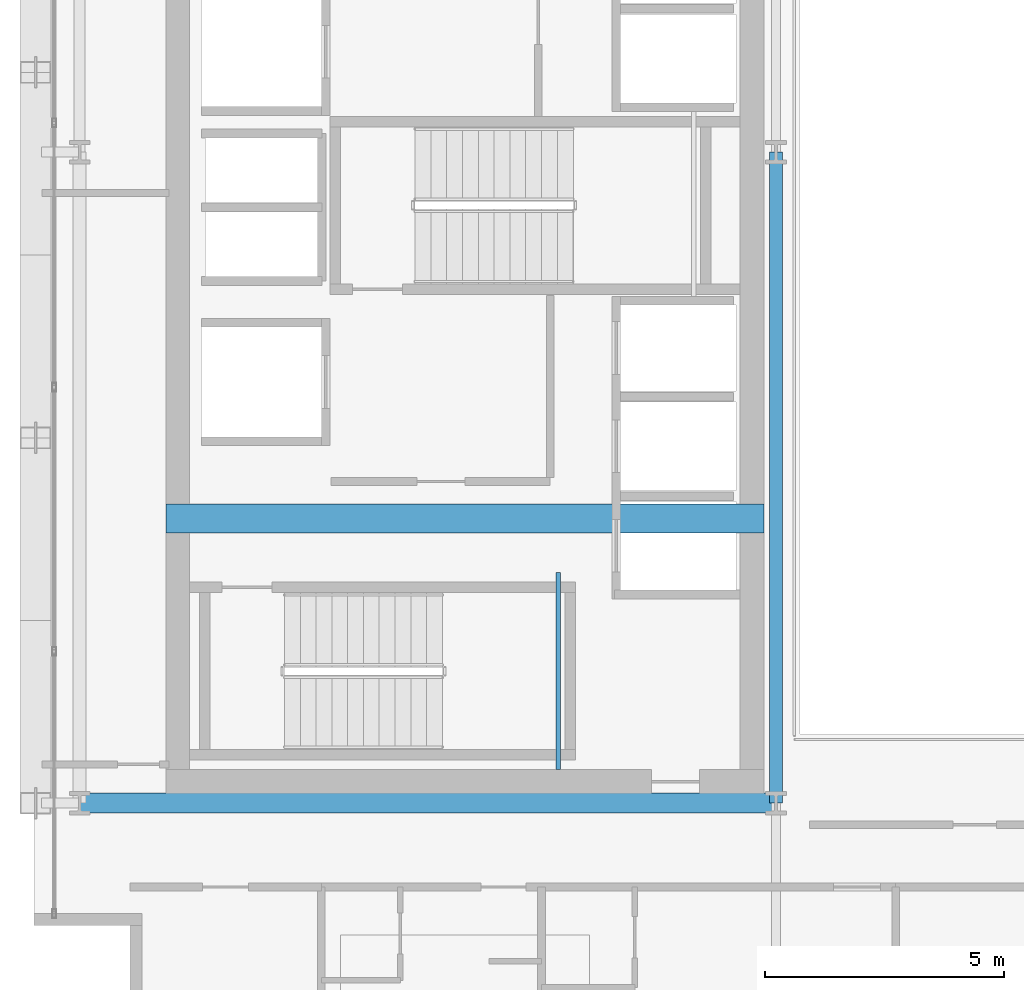
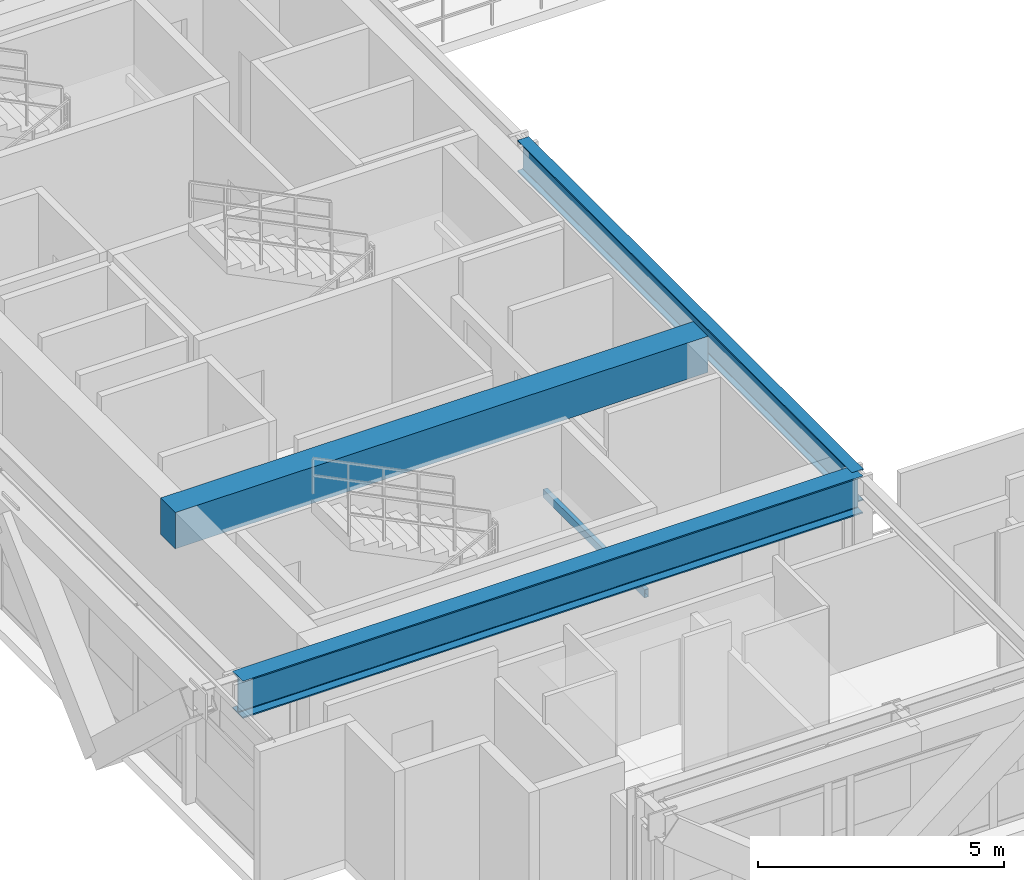
# One storey, part 5 of 32: 4 beams.
"""IFC4 building model written with IfcOpenShell, lengths in metres."""

from ifc_helpers import new_model, si_unit, direction, frame, origin, origin_2d, place, context, subcontext, project, spatial, rectangle, hollow_rectangle, i_section, extrude, source, transform, mapped, material, material_profile, profile_set, type_object, element, save


model = new_model("IFC4")

# Units and contexts
model_context = context("Model", 3, precision=1e-05, world=origin(), true_north=direction((0.0, 1.0)))
body_context = subcontext(model_context, "Body", "Model", "MODEL_VIEW")
ifc_project = project(units=[si_unit("LENGTHUNIT", "METRE"), si_unit("AREAUNIT", "SQUARE_METRE"), si_unit("VOLUMEUNIT", "CUBIC_METRE"), si_unit("PLANEANGLEUNIT", "RADIAN"), si_unit("MASSUNIT", "GRAM", prefix="KILO")], contexts=[model_context])

# Site, building, storey
site_placement = place(None, origin())
site = spatial("IfcSite", under=ifc_project, at=site_placement, CompositionType="ELEMENT")
building_placement = place(site_placement, origin())
building = spatial("IfcBuilding", under=site, at=building_placement, Name="Ocotamira Hotel", CompositionType="ELEMENT")
storey_placement = place(building_placement, frame((0.0, 0.0, 206.39990234375)))
storey = spatial("IfcBuildingStorey", under=building, at=storey_placement, Name="L52", CompositionType="ELEMENT", Elevation=206.39990234375)

# Beams
ifc_material_1 = material(Name="Concrete C50/60", Category="concrete")
ifc_material_profile_1 = material_profile(ifc_material_1, rectangle(XDim=0.60009765625, YDim=0.89990234375, at=origin_2d()), Name="RC600X900")
ifc_profile_set_1 = profile_set([ifc_material_profile_1], Name="Concrete C50/60")
beam_type_1 = type_object("IfcBeamType", Name="BM-LINK-RC600", PredefinedType="LINTEL", material=ifc_profile_set_1)
shared_shape_1 = source(origin(), body_context, "Body", "SweptSolid", [
    extrude(rectangle(XDim=0.60009765625, YDim=0.89990234375, at=origin_2d()), origin(), (0.0, 0.0, 1.0), 12.5),
])
beam_1_placement = place(storey_placement, frame((10.75, 20.5, 2.920166015625), z_axis=(1.0, 0.0, 0.0), x_axis=(0.0, 1.0, 0.0)))
element("IfcBeam", 1, at=beam_1_placement, inside=storey, type_object=beam_type_1, Name="L52 West Core Coupling Beam", PredefinedType="LINTEL", context=body_context, shape_type="MappedRepresentation", body=[
    mapped(shared_shape_1, transform((0.0, 0.0, 0.0), scale=1.0)),
])
ifc_material_2 = material(Name="Steel ASTM A500 Grade C", Category="steel")
ifc_material_profile_2 = material_profile(ifc_material_2, hollow_rectangle(XDim=0.10009765625, YDim=0.199951171875, WallThickness=0.008056640625, at=origin_2d()), Name="HSS200X100X8")
ifc_profile_set_2 = profile_set([ifc_material_profile_2], Name="Steel ASTM A500 Grade C")
beam_type_2 = type_object("IfcBeamType", Name="BM-STLDG-HSS200", PredefinedType="BEAM", material=ifc_profile_set_2)
shared_shape_2 = source(origin(), body_context, "Body", "SweptSolid", [
    extrude(hollow_rectangle(XDim=0.10009765625, YDim=0.199951171875, WallThickness=0.008056640625, at=origin_2d()), origin(), (0.0, 0.0, 1.0), 4.1201171875),
])
beam_2_placement = place(storey_placement, frame((18.949951171875, 15.25, 1.5), z_axis=(0.0, 1.0, 0.0), x_axis=(-1.0, 0.0, 0.0)))
element("IfcBeam", 2, at=beam_2_placement, inside=storey, type_object=beam_type_2, Name="L52 Stair ST-1 Landing Bearer 1", PredefinedType="BEAM", context=body_context, shape_type="MappedRepresentation", body=[
    mapped(shared_shape_2, transform((0.0, 0.0, 0.0), scale=1.0)),
])
ifc_material_3 = material(Name="Steel ASTM A992 Grade 50", Category="steel")
ifc_material_profile_3 = material_profile(ifc_material_3, i_section(OverallWidth=0.41796875, OverallDepth=0.927001953125, WebThickness=0.019287109375, FlangeThickness=0.031982421875, FilletRadius=0.02392578125, at=origin_2d()), Name="W36X231")
ifc_profile_set_3 = profile_set([ifc_material_profile_3], Name="Steel ASTM A992 Grade 50")
beam_type_3 = type_object("IfcBeamType", Name="BM-GIRD-W36X231", PredefinedType="BEAM", material=ifc_profile_set_3)
shared_shape_3 = source(origin(), body_context, "Body", "SweptSolid", [
    extrude(i_section(OverallWidth=0.41796875, OverallDepth=0.927001953125, WebThickness=0.019287109375, FlangeThickness=0.031982421875, FilletRadius=0.02392578125, at=origin_2d()), origin(), (0.0, 0.0, 1.0), 14.550048828125),
])
beam_3_placement = place(storey_placement, frame((8.949951171875, 14.550048828125, 2.906494140625), z_axis=(1.0, 0.0, 0.0), x_axis=(0.0, 1.0, 0.0)))
element("IfcBeam", 3, at=beam_3_placement, inside=storey, type_object=beam_type_3, Name="L52 Girder Y14.55 X8.95-23.5", PredefinedType="BEAM", context=body_context, shape_type="MappedRepresentation", body=[
    mapped(shared_shape_3, transform((0.0, 0.0, 0.0), scale=1.0)),
])
ifc_material_profile_4 = material_profile(ifc_material_3, i_section(OverallWidth=0.26611328125, OverallDepth=0.779052734375, WebThickness=0.0166015625, FlangeThickness=0.030029296875, FilletRadius=0.01806640625, at=origin_2d()), Name="W30X148")
ifc_profile_set_4 = profile_set([ifc_material_profile_4], Name="Steel ASTM A992 Grade 50")
beam_type_4 = type_object("IfcBeamType", Name="BM-GIRD-W30X148", PredefinedType="BEAM", material=ifc_profile_set_4)
shared_shape_4 = source(origin(), body_context, "Body", "SweptSolid", [
    extrude(i_section(OverallWidth=0.26611328125, OverallDepth=0.779052734375, WebThickness=0.0166015625, FlangeThickness=0.030029296875, FilletRadius=0.01806640625, at=origin_2d()), origin(), (0.0, 0.0, 1.0), 13.599853515625),
])
beam_4_placement = place(storey_placement, frame((23.5, 14.550048828125, 2.980712890625), z_axis=(0.0, 1.0, 0.0), x_axis=(-1.0, 0.0, 0.0)))
element("IfcBeam", 4, at=beam_4_placement, inside=storey, type_object=beam_type_4, Name="L52 Beam X23.5 Y14.55-28.15", PredefinedType="BEAM", context=body_context, shape_type="MappedRepresentation", body=[
    mapped(shared_shape_4, transform((0.0, 0.0, 0.0), scale=1.0)),
])

save(model, "model.ifc")
